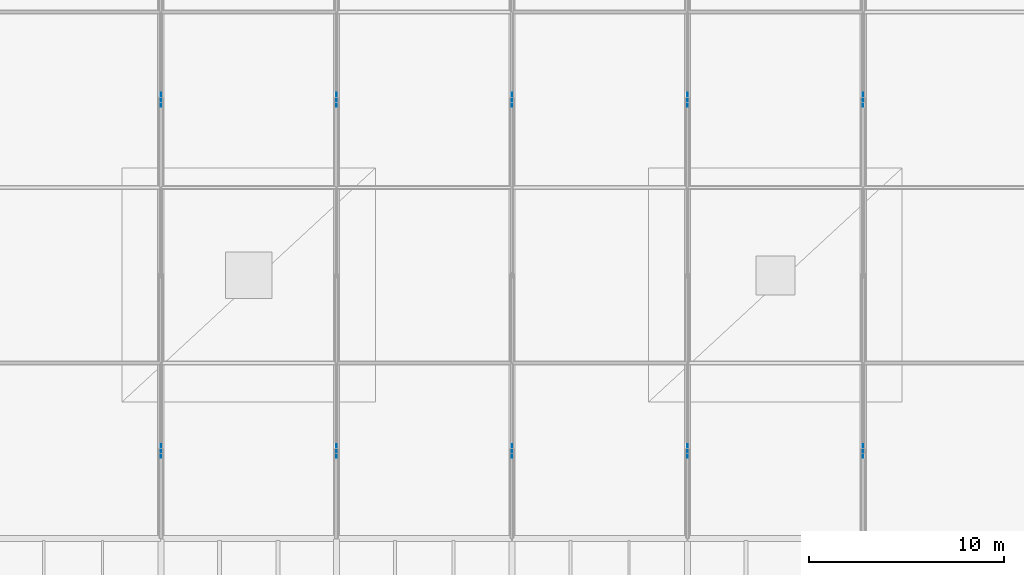
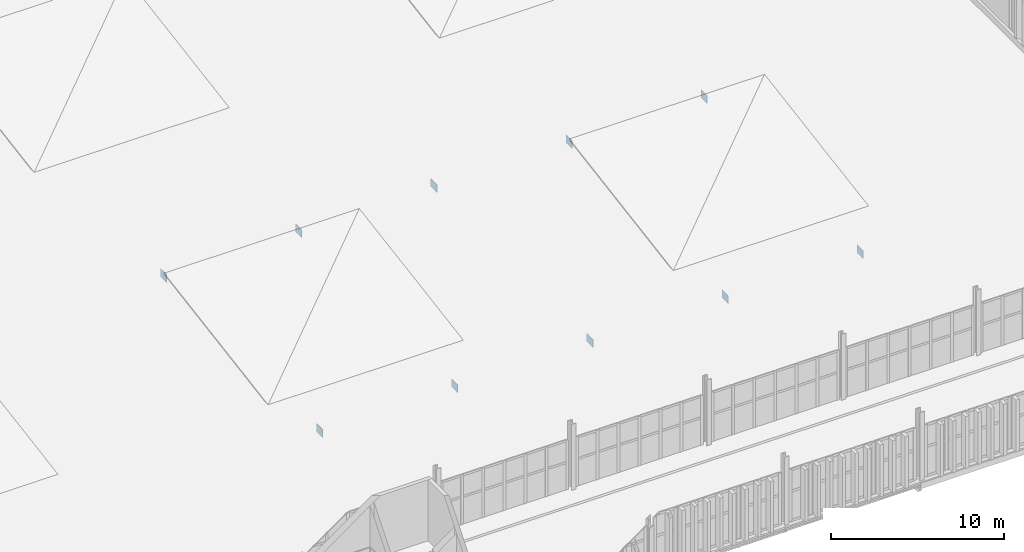
# One storey, part 174 of 196: 10 plates.
"""IFC4 building model written with IfcOpenShell, lengths in metres."""

from ifc_helpers import new_model, si_unit, direction, frame, origin, origin_2d, place, context, subcontext, project, spatial, rectangle, extrude, material, layer, layer_set, type_object, element, save


model = new_model("IFC4")

# Units and contexts
model_context = context("Model", 3, precision=1e-05, world=origin(), true_north=direction((0.0, 1.0)))
body_context = subcontext(model_context, "Body", "Model", "MODEL_VIEW")
ifc_project = project(units=[si_unit("LENGTHUNIT", "METRE"), si_unit("AREAUNIT", "SQUARE_METRE"), si_unit("VOLUMEUNIT", "CUBIC_METRE"), si_unit("PLANEANGLEUNIT", "RADIAN"), si_unit("MASSUNIT", "GRAM", prefix="KILO")], contexts=[model_context])

# Site, building, storey
site_placement = place(None, origin())
site = spatial("IfcSite", under=ifc_project, at=site_placement, CompositionType="ELEMENT")
building_placement = place(site_placement, origin())
building = spatial("IfcBuilding", under=site, at=building_placement, Name="Barlavento Convention Centre", CompositionType="ELEMENT")
storey_placement = place(building_placement, frame((0.0, 0.0, 18.0)))
storey = spatial("IfcBuildingStorey", under=building, at=storey_placement, Name="L03", CompositionType="ELEMENT", Elevation=18.0)

# Plates
ifc_material = material(Name="Steel S460", Category="steel")
ifc_layer = layer(ifc_material, 0.033935546875)
ifc_layer_set = layer_set([ifc_layer], Name="STR-PLT-NODE-EX1")
plate_type = type_object("IfcPlateType", Name="STR-PLT-NODE-EX1", PredefinedType="USERDEFINED", material=ifc_layer_set)
for number, where, z_axis, x_axis, name in (
    (1, (72.0, 67.5, -1.129150390625), (0.0, 0.0, 1.0), (1.0, 0.0, 0.0), "Space frame node plate EXN1"),
    (2, (72.0, 85.5, -1.129150390625), (0.0, 0.0, 1.0), (1.0, 0.0, 0.0), "Space frame node plate EXN1"),
    (3, (81.0, 67.5, -1.125), (0.0, 0.0, 1.0), (1.0, 0.0, 0.0), "Space frame node plate EXN1"),
    (4, (81.0, 85.5, -1.125), (0.0, 0.0, 1.0), (1.0, 0.0, 0.0), "Space frame node plate EXN1"),
    (5, (90.0, 67.5, -1.074951171875), (0.0, 0.0, 1.0), (1.0, 0.0, 0.0), "Space frame node plate EXN1"),
    (6, (90.0, 85.5, -1.074951171875), (0.0, 0.0, 1.0), (1.0, 0.0, 0.0), "Space frame node plate EXN1"),
    (7, (99.0, 67.5, -1.129150390625), (0.0, 0.0, 1.0), (1.0, 0.0, 0.0), "Space frame node plate EXN1"),
    (8, (99.0, 85.5, -1.129150390625), (0.0, 0.0, 1.0), (1.0, 0.0, 0.0), "Space frame node plate EXN1"),
    (9, (108.0, 67.5, -1.125), (0.0, 0.0, 1.0), (1.0, 0.0, 0.0), "Space frame node plate EXN1"),
    (10, (108.0, 85.5, -1.125), (0.0, 0.0, 1.0), (1.0, 0.0, 0.0), "Space frame node plate EXN1"),
):
    element("IfcPlate", number, at=place(storey_placement, frame(where, z_axis=z_axis, x_axis=x_axis)), inside=storey, type_object=plate_type, Name=name, ObjectType="GUSSET_PLATE", PredefinedType="USERDEFINED", context=body_context, shape_type="SweptSolid", body=[
        extrude(rectangle(XDim=0.033935546875, YDim=0.699951171875, at=origin_2d()), origin(), (0.0, 0.0, 1.0), 0.56005859375),
    ])

save(model, "model.ifc")
